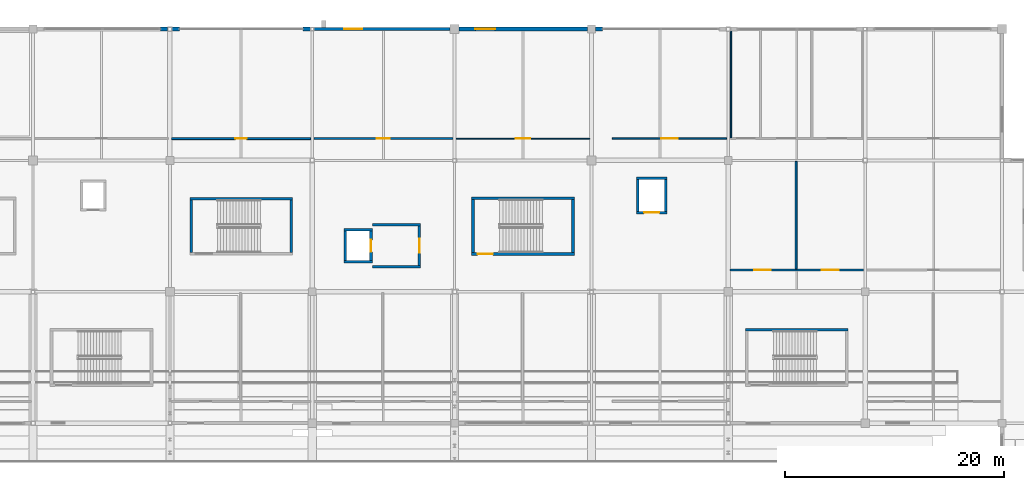
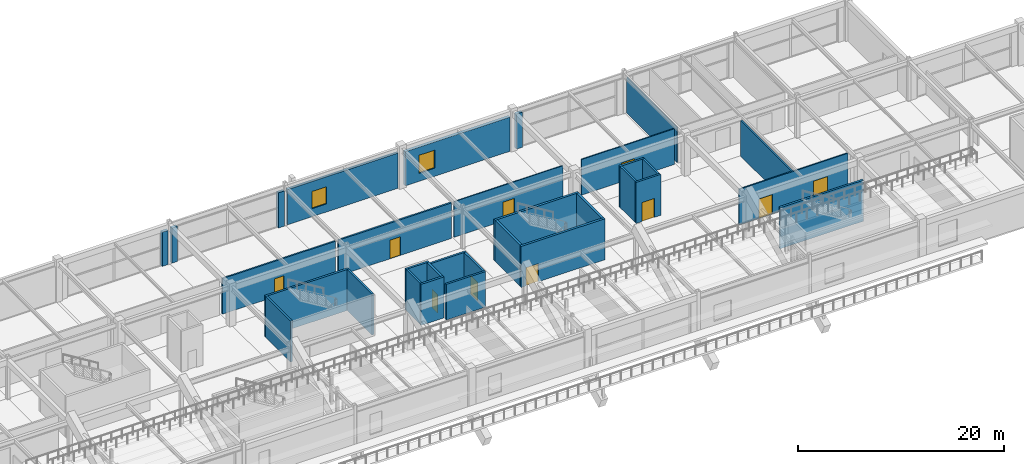
# One storey, part 98 of 128: 32 walls, 10 doors, 2 windows, 12 openings.
"""IFC4 building model written with IfcOpenShell, lengths in metres."""

from ifc_helpers import new_model, si_unit, direction, frame, frame_2d, origin, place, context, subcontext, project, spatial, rectangle, extrude, material, layer, layer_set, type_object, element, fill, save


model = new_model("IFC4")

# Units and contexts
model_context = context("Model", 3, precision=1e-05, world=origin(), true_north=direction((0.0, 1.0)))
body_context = subcontext(model_context, "Body", "Model", "MODEL_VIEW")
ifc_project = project(units=[si_unit("LENGTHUNIT", "METRE"), si_unit("AREAUNIT", "SQUARE_METRE"), si_unit("VOLUMEUNIT", "CUBIC_METRE"), si_unit("PLANEANGLEUNIT", "RADIAN"), si_unit("MASSUNIT", "GRAM", prefix="KILO")], contexts=[model_context])

# Site, building, storey
site_placement = place(None, origin())
site = spatial("IfcSite", under=ifc_project, at=site_placement, CompositionType="ELEMENT")
building_placement = place(site_placement, origin())
building = spatial("IfcBuilding", under=site, at=building_placement, Name="Kazenohara Klinker Stadium", CompositionType="ELEMENT")
storey_placement = place(building_placement, frame((0.0, 0.0, 15.300048828125)))
storey = spatial("IfcBuildingStorey", under=building, at=storey_placement, Name="L03", CompositionType="ELEMENT", Elevation=15.300048828125)

# Walls
ifc_material_1 = material(Name="Concrete C40/50", Category="concrete")
ifc_layer_1 = layer(ifc_material_1, 0.22998046875)
ifc_layer_set_1 = layer_set([ifc_layer_1], Name="Concrete C40/50")
wall_type_1 = type_object("IfcWallType", Name="WAL-CORE-230", PredefinedType="SHEAR", material=ifc_layer_set_1)
wall_1_placement = place(storey_placement, frame((100.820068359375, 152.514892578125, 0.0), z_axis=(0.0, 0.0, 1.0), x_axis=(1.0, 0.0, 0.0)))
element("IfcWall", 1, at=wall_1_placement, inside=storey, type_object=wall_type_1, Name="Stairwell shear wall ST10 L03 North", PredefinedType="SHEAR", context=body_context, shape_type="SweptSolid", body=[
    extrude(rectangle(XDim=9.35986328125, YDim=0.22998046875, at=frame_2d((4.679931640625, 0.0))), origin(), (0.0, 0.0, 1.0), 4.85986328125),
])
for number, where, z_axis, x_axis, name in (
    (2, (100.93505859375, 147.60009765625, 0.0), (0.0, 0.0, 1.0), (0.0, 1.0, 0.0), "Stairwell shear wall ST10 L03 West"),
    (3, (110.06494140625, 147.60009765625, 0.0), (0.0, 0.0, 1.0), (0.0, 1.0, 0.0), "Stairwell shear wall ST10 L03 East"),
):
    element("IfcWall", number, at=place(storey_placement, frame(where, z_axis=z_axis, x_axis=x_axis)), inside=storey, type_object=wall_type_1, Name=name, PredefinedType="SHEAR", context=body_context, shape_type="SweptSolid", body=[
        extrude(rectangle(XDim=4.7998046875, YDim=0.22998046875, at=frame_2d((2.39990234375, 0.0))), origin(), (0.0, 0.0, 1.0), 4.85986328125),
    ])
wall_2_placement = place(storey_placement, frame((151.570068359375, 140.544921875, 0.0), z_axis=(0.0, 0.0, 1.0), x_axis=(1.0, 0.0, 0.0)))
element("IfcWall", 4, at=wall_2_placement, inside=storey, type_object=wall_type_1, Name="Stairwell shear wall ST20 L03 North", PredefinedType="SHEAR", context=body_context, shape_type="SweptSolid", body=[
    extrude(rectangle(XDim=9.35986328125, YDim=0.22998046875, at=frame_2d((4.679931640625, 0.0))), origin(), (0.0, 0.0, 1.0), 4.85986328125),
])
for number, where, z_axis, x_axis, name in (
    (5, (114.919921875, 146.735107421875, 0.0), (0.0, 0.0, 1.0), (1.0, 0.0, 0.0), "Elevator shaft wall LF04 L03 South"),
    (6, (114.919921875, 149.6650390625, 0.0), (0.0, 0.0, 1.0), (1.0, 0.0, 0.0), "Elevator shaft wall LF04 L03 North"),
):
    element("IfcWall", number, at=place(storey_placement, frame(where, z_axis=z_axis, x_axis=x_axis)), inside=storey, type_object=wall_type_1, Name=name, PredefinedType="SHEAR", context=body_context, shape_type="SweptSolid", body=[
        extrude(rectangle(XDim=2.56005859375, YDim=0.22998046875, at=frame_2d((1.280029296875, 0.0))), origin(), (0.0, 0.0, 1.0), 4.85986328125),
    ])
wall_3_placement = place(storey_placement, frame((115.034912109375, 146.85009765625, 0.0), z_axis=(0.0, 0.0, 1.0), x_axis=(0.0, 1.0, 0.0)))
element("IfcWall", 7, at=wall_3_placement, inside=storey, type_object=wall_type_1, Name="Elevator shaft wall LF04 L03 West", PredefinedType="SHEAR", context=body_context, shape_type="SweptSolid", body=[
    extrude(rectangle(XDim=2.699951171875, YDim=0.22998046875, at=frame_2d((1.35009765625, 0.0))), origin(), (0.0, 0.0, 1.0), 4.85986328125),
])

# Wall, opening, door
wall_4_placement = place(storey_placement, frame((117.364990234375, 146.85009765625, 0.0), z_axis=(0.0, 0.0, 1.0), x_axis=(0.0, 1.0, 0.0)))
wall_4 = element("IfcWall", 8, at=wall_4_placement, inside=storey, type_object=wall_type_1, Name="Elevator shaft wall LF04 L03 East", PredefinedType="SHEAR", context=body_context, shape_type="SweptSolid", body=[
    extrude(rectangle(XDim=2.699951171875, YDim=0.22998046875, at=frame_2d((1.35009765625, 0.0))), origin(), (0.0, 0.0, 1.0), 4.85986328125),
])
opening_1_placement = place(wall_4_placement, frame((0.800048828125, 0.0, 0.0)))
opening_1 = element("IfcOpeningElement", 9, at=opening_1_placement, cuts=wall_4, Name="Opening LD01", PredefinedType="OPENING", context=body_context, shape_type="SweptSolid", body=[
    extrude(rectangle(XDim=1.10009765625, YDim=2.14990234375, at=frame_2d((0.550048828125, 1.074951171875))), frame((0.0, 0.125, 0.0), z_axis=(0.0, -1.0, 0.0), x_axis=(1.0, 0.0, 0.0)), (0.0, 0.0, 1.0), 0.25),
])
ifc_material_2 = material(Name="Stainless steel fire-rated sliding landing door", Category="steel")
door_type_1 = type_object("IfcDoorType", Name="DR-LD01-1100x2150", OperationType="NOTDEFINED", PredefinedType="DOOR", material=ifc_material_2)
door_1_placement = place(opening_1_placement, origin())
door_1 = element("IfcDoor", 10, at=door_1_placement, inside=storey, type_object=door_type_1, Name="Elevator sliding landing door LF04-L03", OperationType="DOUBLE_DOOR_SLIDING", OverallHeight=2.14990234375, OverallWidth=1.10009765625, PredefinedType="DOOR", context=body_context, shape_type="SweptSolid", body=[
    extrude(rectangle(XDim=1.10009765625, YDim=2.14990234375, at=frame_2d((0.550048828125, 1.074951171875))), frame((0.0, 0.02490234375, 0.0), z_axis=(0.0, -1.0, 0.0), x_axis=(1.0, 0.0, 0.0)), (0.0, 0.0, 1.0), 0.050048828125),
])
fill(opening_1, door_1)

wall_5_placement = place(storey_placement, frame((141.6201171875, 151.235107421875, 0.0), z_axis=(0.0, 0.0, 1.0), x_axis=(1.0, 0.0, 0.0)))
wall_5 = element("IfcWall", 11, at=wall_5_placement, inside=storey, type_object=wall_type_1, Name="Elevator shaft wall LG02 L03 South", PredefinedType="SHEAR", context=body_context, shape_type="SweptSolid", body=[
    extrude(rectangle(XDim=2.759765625, YDim=0.22998046875, at=frame_2d((1.3798828125, 0.0))), origin(), (0.0, 0.0, 1.0), 4.85986328125),
])
opening_2_placement = place(wall_5_placement, frame((0.679931640625, 0.0, 0.0)))
opening_2 = element("IfcOpeningElement", 12, at=opening_2_placement, cuts=wall_5, Name="Opening LD03", PredefinedType="OPENING", context=body_context, shape_type="SweptSolid", body=[
    extrude(rectangle(XDim=1.39990234375, YDim=2.25, at=frame_2d((0.699951171875, 1.125))), frame((0.0, 0.125, 0.0), z_axis=(0.0, -1.0, 0.0), x_axis=(1.0, 0.0, 0.0)), (0.0, 0.0, 1.0), 0.25),
])
ifc_material_3 = material(Name="Heavy-duty stainless steel sliding goods landing door", Category="steel")
door_type_2 = type_object("IfcDoorType", Name="DR-LD03-1400x2250", OperationType="NOTDEFINED", PredefinedType="DOOR", material=ifc_material_3)
door_2_placement = place(opening_2_placement, origin())
door_2 = element("IfcDoor", 13, at=door_2_placement, inside=storey, type_object=door_type_2, Name="Elevator sliding landing door LG02-L03", OperationType="DOUBLE_DOOR_SLIDING", OverallHeight=2.25, OverallWidth=1.39990234375, PredefinedType="DOOR", context=body_context, shape_type="SweptSolid", body=[
    extrude(rectangle(XDim=1.39990234375, YDim=2.25, at=frame_2d((0.699951171875, 1.125))), frame((0.0, 0.02490234375, 0.0), z_axis=(0.0, -1.0, 0.0), x_axis=(1.0, 0.0, 0.0)), (0.0, 0.0, 1.0), 0.050048828125),
])
fill(opening_2, door_2)

# Walls
wall_6_placement = place(storey_placement, frame((141.6201171875, 154.364990234375, 0.0), z_axis=(0.0, 0.0, 1.0), x_axis=(1.0, 0.0, 0.0)))
element("IfcWall", 14, at=wall_6_placement, inside=storey, type_object=wall_type_1, Name="Elevator shaft wall LG02 L03 North", PredefinedType="SHEAR", context=body_context, shape_type="SweptSolid", body=[
    extrude(rectangle(XDim=2.759765625, YDim=0.22998046875, at=frame_2d((1.3798828125, 0.0))), origin(), (0.0, 0.0, 1.0), 4.85986328125),
])
for number, where, z_axis, x_axis, name in (
    (15, (141.735107421875, 151.35009765625, 0.0), (0.0, 0.0, 1.0), (0.0, 1.0, 0.0), "Elevator shaft wall LG02 L03 West"),
    (16, (144.264892578125, 151.35009765625, 0.0), (0.0, 0.0, 1.0), (0.0, 1.0, 0.0), "Elevator shaft wall LG02 L03 East"),
):
    element("IfcWall", number, at=place(storey_placement, frame(where, z_axis=z_axis, x_axis=x_axis)), inside=storey, type_object=wall_type_1, Name=name, PredefinedType="SHEAR", context=body_context, shape_type="SweptSolid", body=[
        extrude(rectangle(XDim=2.89990234375, YDim=0.22998046875, at=frame_2d((1.449951171875, 0.0))), origin(), (0.0, 0.0, 1.0), 4.85986328125),
    ])

# Wall, opening, door
ifc_layer_2 = layer(ifc_material_1, 0.25)
ifc_layer_set_2 = layer_set([ifc_layer_2], Name="Concrete C40/50")
wall_type_2 = type_object("IfcWallType", Name="WAL-CORE-250", PredefinedType="SHEAR", material=ifc_layer_set_2)
wall_7_placement = place(storey_placement, frame((126.550048828125, 147.455078125, 0.0), z_axis=(0.0, 0.0, 1.0), x_axis=(1.0, 0.0, 0.0)))
wall_7 = element("IfcWall", 17, at=wall_7_placement, inside=storey, type_object=wall_type_2, Name="Stairwell shear wall ST11 L03 South", PredefinedType="SHEAR", context=body_context, shape_type="SweptSolid", body=[
    extrude(rectangle(XDim=9.39990234375, YDim=0.25, at=frame_2d((4.699951171875, 0.0))), origin(), (0.0, 0.0, 1.0), 4.85986328125),
])
opening_3_placement = place(wall_7_placement, frame((0.550048828125, 0.0, 0.0)))
opening_3 = element("IfcOpeningElement", 18, at=opening_3_placement, cuts=wall_7, Name="Opening SD01", PredefinedType="OPENING", context=body_context, shape_type="SweptSolid", body=[
    extrude(rectangle(XDim=1.39990234375, YDim=2.14990234375, at=frame_2d((0.699951171875, 1.074951171875))), frame((0.0, 0.135009765625, 0.0), z_axis=(0.0, -1.0, 0.0), x_axis=(1.0, 0.0, 0.0)), (0.0, 0.0, 1.0), 0.27001953125),
])
ifc_material_4 = material(Name="Flush painted steel fire door leaf", Category="steel")
door_type_3 = type_object("IfcDoorType", Name="DR-STR-1400x2150", OperationType="NOTDEFINED", PredefinedType="DOOR", material=ifc_material_4)
door_3_placement = place(opening_3_placement, origin())
door_3 = element("IfcDoor", 19, at=door_3_placement, inside=storey, type_object=door_type_3, Name="Escape stairwell fire door ST11-L03", OperationType="SINGLE_SWING_LEFT", OverallHeight=2.14990234375, OverallWidth=1.39990234375, PredefinedType="DOOR", context=body_context, shape_type="SweptSolid", body=[
    extrude(rectangle(XDim=1.39990234375, YDim=2.14990234375, at=frame_2d((0.699951171875, 1.074951171875))), frame((0.0, 0.02490234375, 0.0), z_axis=(0.0, -1.0, 0.0), x_axis=(1.0, 0.0, 0.0)), (0.0, 0.0, 1.0), 0.050048828125),
])
fill(opening_3, door_3)

# Walls
wall_8_placement = place(storey_placement, frame((126.550048828125, 152.544921875, 0.0), z_axis=(0.0, 0.0, 1.0), x_axis=(1.0, 0.0, 0.0)))
element("IfcWall", 20, at=wall_8_placement, inside=storey, type_object=wall_type_2, Name="Stairwell shear wall ST11 L03 North", PredefinedType="SHEAR", context=body_context, shape_type="SweptSolid", body=[
    extrude(rectangle(XDim=9.39990234375, YDim=0.25, at=frame_2d((4.699951171875, 0.0))), origin(), (0.0, 0.0, 1.0), 4.85986328125),
])
for number, where, z_axis, x_axis, name in (
    (21, (126.675048828125, 147.580078125, 0.0), (0.0, 0.0, 1.0), (0.0, 1.0, 0.0), "Stairwell shear wall ST11 L03 West"),
    (22, (135.824951171875, 147.580078125, 0.0), (0.0, 0.0, 1.0), (0.0, 1.0, 0.0), "Stairwell shear wall ST11 L03 East"),
):
    element("IfcWall", number, at=place(storey_placement, frame(where, z_axis=z_axis, x_axis=x_axis)), inside=storey, type_object=wall_type_2, Name=name, PredefinedType="SHEAR", context=body_context, shape_type="SweptSolid", body=[
        extrude(rectangle(XDim=4.83984375, YDim=0.25, at=frame_2d((2.419921875, 0.0))), origin(), (0.0, 0.0, 1.0), 4.85986328125),
    ])

# Wall, opening, window
ifc_material_5 = material(Name="Clinker brick masonry", Category="masonry")
ifc_layer_3 = layer(ifc_material_5, 0.31005859375)
ifc_layer_set_3 = layer_set([ifc_layer_3], Name="Clinker brick masonry")
wall_type_3 = type_object("IfcWallType", Name="WAL-EXT-CB310", PredefinedType="SOLIDWALL", material=ifc_layer_set_3)
wall_9_placement = place(storey_placement, frame((112.178955078125, 168.0, 0.0), z_axis=(0.0, 0.0, 1.0), x_axis=(1.0, 0.0, 0.0)))
wall_9 = element("IfcWall", 23, at=wall_9_placement, inside=storey, type_object=wall_type_3, Name="Clinker brick cavity wall EW05 L03 X9-14", PredefinedType="SOLIDWALL", context=body_context, shape_type="SweptSolid", body=[
    extrude(rectangle(XDim=12.4169921875, YDim=0.31005859375, at=frame_2d((6.20849609375, 0.0))), origin(), (0.0, 0.0, 1.0), 4.171875),
])
opening_4_placement = place(wall_9_placement, frame((2.75, 0.0, 0.949951171875)))
opening_4 = element("IfcOpeningElement", 24, at=opening_4_placement, cuts=wall_9, Name="Opening W11", PredefinedType="OPENING", context=body_context, shape_type="SweptSolid", body=[
    extrude(rectangle(XDim=1.64990234375, YDim=2.050048828125, at=frame_2d((0.824951171875, 1.02490234375))), frame((0.0, 0.1650390625, 0.0), z_axis=(0.0, -1.0, 0.0), x_axis=(1.0, 0.0, 0.0)), (0.0, 0.0, 1.0), 0.330078125),
])
ifc_material_6 = material(Name="Dark bronze aluminium frame and triple glazing", Category="aluminium")
window_type_1 = type_object("IfcWindowType", Name="WIN-AS-11", PartitioningType="SINGLE_PANEL", PredefinedType="WINDOW", material=ifc_material_6)
window_1_placement = place(opening_4_placement, origin())
window_1 = element("IfcWindow", 25, at=window_1_placement, inside=storey, type_object=window_type_1, Name="Horizontal-mullion ladder window W11 L03 X9-14", OverallHeight=2.050048828125, OverallWidth=1.64990234375, PartitioningType="SINGLE_PANEL", PredefinedType="WINDOW", context=body_context, shape_type="SweptSolid", body=[
    extrude(rectangle(XDim=1.64990234375, YDim=2.050048828125, at=frame_2d((0.824951171875, 1.02490234375))), frame((0.0, 0.030029296875, 0.0), z_axis=(0.0, -1.0, 0.0), x_axis=(1.0, 0.0, 0.0)), (0.0, 0.0, 1.0), 0.06005859375),
])
fill(opening_4, window_1)

# Walls
ifc_layer_4 = layer(ifc_material_5, 0.340087890625)
ifc_layer_set_4 = layer_set([ifc_layer_4], Name="Clinker brick masonry")
wall_type_4 = type_object("IfcWallType", Name="WAL-EXT-CB340", PredefinedType="SOLIDWALL", material=ifc_layer_set_4)
wall_10_placement = place(storey_placement, frame((98.14599609375, 168.0, 0.0), z_axis=(0.0, 0.0, 1.0), x_axis=(1.0, 0.0, 0.0)))
element("IfcWall", 26, at=wall_10_placement, inside=storey, type_object=wall_type_4, Name="Clinker brick curtain-wall jamb pier L03 X7-14 B", PredefinedType="SOLIDWALL", context=body_context, shape_type="SweptSolid", body=[
    extrude(rectangle(XDim=0.64990234375, YDim=0.340087890625, at=frame_2d((0.324951171875, 0.0))), origin(), (0.0, 0.0, 1.0), 4.06005859375),
])
wall_11_placement = place(storey_placement, frame((99.2041015625, 168.0, 0.0), z_axis=(0.0, 0.0, 1.0), x_axis=(1.0, 0.0, 0.0)))
element("IfcWall", 27, at=wall_11_placement, inside=storey, type_object=wall_type_4, Name="Clinker brick curtain-wall jamb pier L03 X8-14 A", PredefinedType="SOLIDWALL", context=body_context, shape_type="SweptSolid", body=[
    extrude(rectangle(XDim=0.64990234375, YDim=0.340087890625, at=frame_2d((0.324951171875, 0.0))), origin(), (0.0, 0.0, 1.0), 4.159912109375),
])
wall_12_placement = place(storey_placement, frame((111.1708984375, 168.0, 0.0), z_axis=(0.0, 0.0, 1.0), x_axis=(1.0, 0.0, 0.0)))
element("IfcWall", 28, at=wall_12_placement, inside=storey, type_object=wall_type_4, Name="Clinker brick curtain-wall jamb pier L03 X8-14 B", PredefinedType="SOLIDWALL", context=body_context, shape_type="SweptSolid", body=[
    extrude(rectangle(XDim=0.650146484375, YDim=0.340087890625, at=frame_2d((0.3251953125, 0.0))), origin(), (0.0, 0.0, 1.0), 4.159912109375),
])

# Wall, opening, window
wall_13_placement = place(storey_placement, frame((125.404052734375, 168.0, 0.0), z_axis=(0.0, 0.0, 1.0), x_axis=(1.0, 0.0, 0.0)))
wall_13 = element("IfcWall", 29, at=wall_13_placement, inside=storey, type_object=wall_type_4, Name="Clinker brick cavity wall EW04 L03 X10-14", PredefinedType="SOLIDWALL", context=body_context, shape_type="SweptSolid", body=[
    extrude(rectangle(XDim=11.741943359375, YDim=0.340087890625, at=frame_2d((5.87109375, 0.0))), origin(), (0.0, 0.0, 1.0), 4.06005859375),
])
opening_5_placement = place(wall_13_placement, frame((1.5, 0.0, 0.949951171875)))
opening_5 = element("IfcOpeningElement", 30, at=opening_5_placement, cuts=wall_13, Name="Opening W14", PredefinedType="OPENING", context=body_context, shape_type="SweptSolid", body=[
    extrude(rectangle(XDim=1.800048828125, YDim=2.14990234375, at=frame_2d((0.89990234375, 1.074951171875))), frame((0.0, 0.18017578125, 0.0), z_axis=(0.0, -1.0, 0.0), x_axis=(1.0, 0.0, 0.0)), (0.0, 0.0, 1.0), 0.360107421875),
])
window_type_2 = type_object("IfcWindowType", Name="WIN-AS-14", PartitioningType="SINGLE_PANEL", PredefinedType="WINDOW", material=ifc_material_6)
window_2_placement = place(opening_5_placement, origin())
window_2 = element("IfcWindow", 31, at=window_2_placement, inside=storey, type_object=window_type_2, Name="Horizontal-mullion ladder window W14 L03 X10-14", OverallHeight=2.14990234375, OverallWidth=1.800048828125, PartitioningType="SINGLE_PANEL", PredefinedType="WINDOW", context=body_context, shape_type="SweptSolid", body=[
    extrude(rectangle(XDim=1.800048828125, YDim=2.14990234375, at=frame_2d((0.89990234375, 1.074951171875))), frame((0.0, 0.030029296875, 0.0), z_axis=(0.0, -1.0, 0.0), x_axis=(1.0, 0.0, 0.0)), (0.0, 0.0, 1.0), 0.06005859375),
])
fill(opening_5, window_2)

# Walls
wall_14_placement = place(storey_placement, frame((137.85400390625, 168.0, 0.0), z_axis=(0.0, 0.0, 1.0), x_axis=(1.0, 0.0, 0.0)))
element("IfcWall", 32, at=wall_14_placement, inside=storey, type_object=wall_type_4, Name="Clinker brick curtain-wall jamb pier L03 X11-14 A", PredefinedType="SOLIDWALL", context=body_context, shape_type="SweptSolid", body=[
    extrude(rectangle(XDim=0.64990234375, YDim=0.340087890625, at=frame_2d((0.324951171875, 0.0))), origin(), (0.0, 0.0, 1.0), 4.159912109375),
])
ifc_layer_5 = layer(ifc_material_1, 0.219970703125)
ifc_layer_set_5 = layer_set([ifc_layer_5], Name="Concrete C40/50")
wall_type_5 = type_object("IfcWallType", Name="WAL-INT-FF220", PredefinedType="SOLIDWALL", material=ifc_layer_set_5)
for number, where, z_axis, x_axis, name in (
    (33, (117.47998046875, 146.2900390625, 0.0), (0.0, 0.0, 1.0), (1.0, 0.0, 0.0), "Firefighting lobby wall LF04 L03 South"),
    (34, (117.47998046875, 150.110107421875, 0.0), (0.0, 0.0, 1.0), (1.0, 0.0, 0.0), "Firefighting lobby wall LF04 L03 North"),
):
    element("IfcWall", number, at=place(storey_placement, frame(where, z_axis=z_axis, x_axis=x_axis)), inside=storey, type_object=wall_type_5, Name=name, PredefinedType="SOLIDWALL", context=body_context, shape_type="SweptSolid", body=[
        extrude(rectangle(XDim=4.419921875, YDim=0.219970703125, at=frame_2d((2.2099609375, 0.0))), origin(), (0.0, 0.0, 1.0), 4.219970703125),
    ])

# Wall, opening, door
wall_15_placement = place(storey_placement, frame((121.7900390625, 146.39990234375, 0.0), z_axis=(0.0, 0.0, 1.0), x_axis=(0.0, 1.0, 0.0)))
wall_15 = element("IfcWall", 35, at=wall_15_placement, inside=storey, type_object=wall_type_5, Name="Firefighting lobby front wall LF04 L03", PredefinedType="SOLIDWALL", context=body_context, shape_type="SweptSolid", body=[
    extrude(rectangle(XDim=3.60009765625, YDim=0.219970703125, at=frame_2d((1.800048828125, 0.0))), origin(), (0.0, 0.0, 1.0), 4.219970703125),
])
opening_6_placement = place(wall_15_placement, frame((1.14990234375, 0.0, 0.0)))
opening_6 = element("IfcOpeningElement", 36, at=opening_6_placement, cuts=wall_15, Name="Opening FD01", PredefinedType="OPENING", context=body_context, shape_type="SweptSolid", body=[
    extrude(rectangle(XDim=1.300048828125, YDim=2.14990234375, at=frame_2d((0.64990234375, 1.074951171875))), frame((0.0, 0.1201171875, 0.0), z_axis=(0.0, -1.0, 0.0), x_axis=(1.0, 0.0, 0.0)), (0.0, 0.0, 1.0), 0.239990234375),
])
ifc_material_7 = material(Name="Smoke-sealed steel fire lobby door", Category="steel")
door_type_4 = type_object("IfcDoorType", Name="DR-FFL-1300x2150", OperationType="NOTDEFINED", PredefinedType="DOOR", material=ifc_material_7)
door_4_placement = place(opening_6_placement, origin())
door_4 = element("IfcDoor", 37, at=door_4_placement, inside=storey, type_object=door_type_4, Name="Firefighting lobby smoke-sealed door LF04-L03", OperationType="SINGLE_SWING_RIGHT", OverallHeight=2.14990234375, OverallWidth=1.300048828125, PredefinedType="DOOR", context=body_context, shape_type="SweptSolid", body=[
    extrude(rectangle(XDim=1.300048828125, YDim=2.14990234375, at=frame_2d((0.64990234375, 1.074951171875))), frame((0.0, 0.02490234375, 0.0), z_axis=(0.0, -1.0, 0.0), x_axis=(1.0, 0.0, 0.0)), (0.0, 0.0, 1.0), 0.050048828125),
])
fill(opening_6, door_4)

ifc_material_8 = material(Name="Fire-rated gypsum board on acoustic studs", Category="gypsum")
ifc_layer_6 = layer(ifc_material_8, 0.110107421875)
ifc_layer_set_6 = layer_set([ifc_layer_6], Name="Fire-rated gypsum board on acoustic studs")
wall_type_6 = type_object("IfcWallType", Name="WAL-INT-P110", PredefinedType="PARTITIONING", material=ifc_layer_set_6)
wall_16_placement = place(storey_placement, frame((125.159912109375, 157.989990234375, 0.0), z_axis=(0.0, 0.0, 1.0), x_axis=(1.0, 0.0, 0.0)))
wall_16 = element("IfcWall", 38, at=wall_16_placement, inside=storey, type_object=wall_type_6, Name="Interior partition wall PT01 SPC-L03-10-13-1-1", PredefinedType="PARTITIONING", context=body_context, shape_type="SweptSolid", body=[
    extrude(rectangle(XDim=12.18017578125, YDim=0.110107421875, at=frame_2d((6.090087890625, 0.0))), origin(), (0.0, 0.0, 1.0), 4.219970703125),
])
opening_7_placement = place(wall_16_placement, frame((5.43994140625, 0.0, 0.0)))
opening_7 = element("IfcOpeningElement", 39, at=opening_7_placement, cuts=wall_16, Name="Opening ID15", PredefinedType="OPENING", context=body_context, shape_type="SweptSolid", body=[
    extrude(rectangle(XDim=1.300048828125, YDim=2.239990234375, at=frame_2d((0.64990234375, 1.1201171875))), frame((0.0, 0.06494140625, 0.0), z_axis=(0.0, -1.0, 0.0), x_axis=(1.0, 0.0, 0.0)), (0.0, 0.0, 1.0), 0.130126953125),
])
ifc_material_9 = material(Name="Solid-core Hokkaido oak fire door", Category="wood")
door_type_5 = type_object("IfcDoorType", Name="DR-INT-15", OperationType="NOTDEFINED", PredefinedType="DOOR", material=ifc_material_9)
door_5_placement = place(opening_7_placement, origin())
door_5 = element("IfcDoor", 40, at=door_5_placement, inside=storey, type_object=door_type_5, Name="Interior door ID15 Concourse Cold-Climate Hospitality Lounge L03-1013A", OperationType="SINGLE_SWING_RIGHT", OverallHeight=2.239990234375, OverallWidth=1.300048828125, PredefinedType="DOOR", context=body_context, shape_type="SweptSolid", body=[
    extrude(rectangle(XDim=1.300048828125, YDim=2.239990234375, at=frame_2d((0.64990234375, 1.1201171875))), frame((0.0, 0.02490234375, 0.0), z_axis=(0.0, -1.0, 0.0), x_axis=(1.0, 0.0, 0.0)), (0.0, 0.0, 1.0), 0.050048828125),
])
fill(opening_7, door_5)

# Wall
wall_17_placement = place(storey_placement, frame((150.239990234375, 158.06494140625, 0.0), z_axis=(0.0, 0.0, 1.0), x_axis=(0.0, 1.0, 0.0)))
element("IfcWall", 41, at=wall_17_placement, inside=storey, type_object=wall_type_6, Name="Interior partition wall PT01 SPC-L03-12-13-1-1", PredefinedType="PARTITIONING", context=body_context, shape_type="SweptSolid", body=[
    extrude(rectangle(XDim=9.73095703125, YDim=0.110107421875, at=frame_2d((4.865478515625, 0.0))), origin(), (0.0, 0.0, 1.0), 4.219970703125),
])

# Wall, opening, door
ifc_layer_7 = layer(ifc_material_8, 0.1201171875)
ifc_layer_set_7 = layer_set([ifc_layer_7], Name="Fire-rated gypsum board on acoustic studs")
wall_type_7 = type_object("IfcWallType", Name="WAL-INT-P120", PredefinedType="PARTITIONING", material=ifc_layer_set_7)
wall_18_placement = place(storey_placement, frame((139.419921875, 157.989990234375, 0.0), z_axis=(0.0, 0.0, 1.0), x_axis=(1.0, 0.0, 0.0)))
wall_18 = element("IfcWall", 42, at=wall_18_placement, inside=storey, type_object=wall_type_7, Name="Interior partition wall PT02 SPC-L03-11-13-1-1", PredefinedType="PARTITIONING", context=body_context, shape_type="SweptSolid", body=[
    extrude(rectangle(XDim=10.420166015625, YDim=0.1201171875, at=frame_2d((5.2099609375, 0.0))), origin(), (0.0, 0.0, 1.0), 4.219970703125),
])
opening_8_placement = place(wall_18_placement, frame((4.469970703125, 0.0, 0.0)))
opening_8 = element("IfcOpeningElement", 43, at=opening_8_placement, cuts=wall_18, Name="Opening ID20", PredefinedType="OPENING", context=body_context, shape_type="SweptSolid", body=[
    extrude(rectangle(XDim=1.47998046875, YDim=2.239990234375, at=frame_2d((0.739990234375, 1.1201171875))), frame((0.0, 0.070068359375, 0.0), z_axis=(0.0, -1.0, 0.0), x_axis=(1.0, 0.0, 0.0)), (0.0, 0.0, 1.0), 0.14013671875),
])
ifc_material_10 = material(Name="Painted steel plant fire door", Category="steel")
door_type_6 = type_object("IfcDoorType", Name="DR-INT-20", OperationType="NOTDEFINED", PredefinedType="DOOR", material=ifc_material_10)
door_6_placement = place(opening_8_placement, origin())
door_6 = element("IfcDoor", 44, at=door_6_placement, inside=storey, type_object=door_type_6, Name="Interior door ID20 Crowd Safety Monitoring Control Studio L03-1113A", OperationType="SINGLE_SWING_LEFT", OverallHeight=2.239990234375, OverallWidth=1.47998046875, PredefinedType="DOOR", context=body_context, shape_type="SweptSolid", body=[
    extrude(rectangle(XDim=1.47998046875, YDim=2.239990234375, at=frame_2d((0.739990234375, 1.1201171875))), frame((0.0, 0.02490234375, 0.0), z_axis=(0.0, -1.0, 0.0), x_axis=(1.0, 0.0, 0.0)), (0.0, 0.0, 1.0), 0.050048828125),
])
fill(opening_8, door_6)

# Wall, openings, doors
ifc_layer_8 = layer(ifc_material_8, 0.14990234375)
ifc_layer_set_8 = layer_set([ifc_layer_8], Name="Fire-rated gypsum board on acoustic studs")
wall_type_8 = type_object("IfcWallType", Name="WAL-INT-P150", PredefinedType="PARTITIONING", material=ifc_layer_set_8)
wall_19_placement = place(storey_placement, frame((150.159912109375, 145.989990234375, 0.0), z_axis=(0.0, 0.0, 1.0), x_axis=(1.0, 0.0, 0.0)))
wall_19 = element("IfcWall", 45, at=wall_19_placement, inside=storey, type_object=wall_type_8, Name="Interior partition wall PT04 SPC-L03-12-12-1-1", PredefinedType="PARTITIONING", context=body_context, shape_type="SweptSolid", body=[
    extrude(rectangle(XDim=12.18017578125, YDim=0.14990234375, at=frame_2d((6.090087890625, 0.0))), origin(), (0.0, 0.0, 1.0), 4.219970703125),
])
opening_9_placement = place(wall_19_placement, frame((2.214599609375, 0.0, 0.0)))
opening_9 = element("IfcOpeningElement", 46, at=opening_9_placement, cuts=wall_19, Name="Opening ID21", PredefinedType="OPENING", context=body_context, shape_type="SweptSolid", body=[
    extrude(rectangle(XDim=1.52001953125, YDim=2.280029296875, at=frame_2d((0.760009765625, 1.14013671875))), frame((0.0, 0.0849609375, 0.0), z_axis=(0.0, -1.0, 0.0), x_axis=(1.0, 0.0, 0.0)), (0.0, 0.0, 1.0), 0.169921875),
])
opening_10_placement = place(wall_19_placement, frame((8.364501953125, 0.0, 0.0)))
opening_10 = element("IfcOpeningElement", 47, at=opening_10_placement, cuts=wall_19, Name="Opening ID22", PredefinedType="OPENING", context=body_context, shape_type="SweptSolid", body=[
    extrude(rectangle(XDim=1.56005859375, YDim=2.260009765625, at=frame_2d((0.780029296875, 1.1298828125))), frame((0.0, 0.0849609375, 0.0), z_axis=(0.0, -1.0, 0.0), x_axis=(1.0, 0.0, 0.0)), (0.0, 0.0, 1.0), 0.169921875),
])
door_type_7 = type_object("IfcDoorType", Name="DR-INT-21", OperationType="NOTDEFINED", PredefinedType="DOOR", material=ifc_material_10)
door_7_placement = place(opening_9_placement, origin())
door_7 = element("IfcDoor", 48, at=door_7_placement, inside=storey, type_object=door_type_7, Name="Interior door ID21 Upper Concourse Supporter Dining Pavilion L03-1212A", OperationType="SINGLE_SWING_RIGHT", OverallHeight=2.280029296875, OverallWidth=1.52001953125, PredefinedType="DOOR", context=body_context, shape_type="SweptSolid", body=[
    extrude(rectangle(XDim=1.52001953125, YDim=2.280029296875, at=frame_2d((0.760009765625, 1.14013671875))), frame((0.0, 0.02490234375, 0.0), z_axis=(0.0, -1.0, 0.0), x_axis=(1.0, 0.0, 0.0)), (0.0, 0.0, 1.0), 0.050048828125),
])
fill(opening_9, door_7)
door_type_8 = type_object("IfcDoorType", Name="DR-INT-22", OperationType="NOTDEFINED", PredefinedType="DOOR", material=ifc_material_10)
door_8_placement = place(opening_10_placement, origin())
door_8 = element("IfcDoor", 49, at=door_8_placement, inside=storey, type_object=door_type_8, Name="Interior door ID22 Supporter Tifo Workshop Studio L03-1212B", OperationType="SINGLE_SWING_LEFT", OverallHeight=2.260009765625, OverallWidth=1.56005859375, PredefinedType="DOOR", context=body_context, shape_type="SweptSolid", body=[
    extrude(rectangle(XDim=1.56005859375, YDim=2.260009765625, at=frame_2d((0.780029296875, 1.1298828125))), frame((0.0, 0.02490234375, 0.0), z_axis=(0.0, -1.0, 0.0), x_axis=(1.0, 0.0, 0.0)), (0.0, 0.0, 1.0), 0.050048828125),
])
fill(opening_10, door_8)

# Wall, opening, door
ifc_layer_9 = layer(ifc_material_8, 0.169921875)
ifc_layer_set_9 = layer_set([ifc_layer_9], Name="Fire-rated gypsum board on acoustic studs")
wall_type_9 = type_object("IfcWallType", Name="WAL-INT-P170", PredefinedType="PARTITIONING", material=ifc_layer_set_9)
wall_20_placement = place(storey_placement, frame((99.159912109375, 157.989990234375, 0.0), z_axis=(0.0, 0.0, 1.0), x_axis=(1.0, 0.0, 0.0)))
wall_20 = element("IfcWall", 50, at=wall_20_placement, inside=storey, type_object=wall_type_9, Name="Interior partition wall PT05 SPC-L03-08-13-1-1", PredefinedType="PARTITIONING", context=body_context, shape_type="SweptSolid", body=[
    extrude(rectangle(XDim=12.68017578125, YDim=0.169921875, at=frame_2d((6.340087890625, 0.0))), origin(), (0.0, 0.0, 1.0), 4.219970703125),
])
opening_11_placement = place(wall_20_placement, frame((5.81005859375, 0.0, 0.0)))
opening_11 = element("IfcOpeningElement", 51, at=opening_11_placement, cuts=wall_20, Name="Opening ID07", PredefinedType="OPENING", context=body_context, shape_type="SweptSolid", body=[
    extrude(rectangle(XDim=1.06005859375, YDim=2.14990234375, at=frame_2d((0.530029296875, 1.074951171875))), frame((0.0, 0.094970703125, 0.0), z_axis=(0.0, -1.0, 0.0), x_axis=(1.0, 0.0, 0.0)), (0.0, 0.0, 1.0), 0.18994140625),
])
door_type_9 = type_object("IfcDoorType", Name="DR-INT-07", OperationType="NOTDEFINED", PredefinedType="DOOR", material=ifc_material_9)
door_9_placement = place(opening_11_placement, origin())
door_9 = element("IfcDoor", 52, at=door_9_placement, inside=storey, type_object=door_type_9, Name="Interior door ID07 Supporter Tifo Workshop Studio L03-0813A", OperationType="SINGLE_SWING_RIGHT", OverallHeight=2.14990234375, OverallWidth=1.06005859375, PredefinedType="DOOR", context=body_context, shape_type="SweptSolid", body=[
    extrude(rectangle(XDim=1.06005859375, YDim=2.14990234375, at=frame_2d((0.530029296875, 1.074951171875))), frame((0.0, 0.02490234375, 0.0), z_axis=(0.0, -1.0, 0.0), x_axis=(1.0, 0.0, 0.0)), (0.0, 0.0, 1.0), 0.050048828125),
])
fill(opening_11, door_9)

# Wall
wall_21_placement = place(storey_placement, frame((156.189208984375, 146.070068359375, 0.0), z_axis=(0.0, 0.0, 1.0), x_axis=(0.0, 1.0, 0.0)))
element("IfcWall", 53, at=wall_21_placement, inside=storey, type_object=wall_type_9, Name="Interior partition wall PT05 SPC-L03-12-12-1-2", PredefinedType="PARTITIONING", context=body_context, shape_type="SweptSolid", body=[
    extrude(rectangle(XDim=9.849853515625, YDim=0.169921875, at=frame_2d((4.9248046875, 0.0))), origin(), (0.0, 0.0, 1.0), 4.219970703125),
])

# Wall, opening, door
ifc_layer_10 = layer(ifc_material_8, 0.18994140625)
ifc_layer_set_10 = layer_set([ifc_layer_10], Name="Fire-rated gypsum board on acoustic studs")
wall_type_10 = type_object("IfcWallType", Name="WAL-INT-P190", PredefinedType="PARTITIONING", material=ifc_layer_set_10)
wall_22_placement = place(storey_placement, frame((112.159912109375, 157.989990234375, 0.0), z_axis=(0.0, 0.0, 1.0), x_axis=(1.0, 0.0, 0.0)))
wall_22 = element("IfcWall", 54, at=wall_22_placement, inside=storey, type_object=wall_type_10, Name="Interior partition wall PT06 SPC-L03-09-13-1-1", PredefinedType="PARTITIONING", context=body_context, shape_type="SweptSolid", body=[
    extrude(rectangle(XDim=12.68017578125, YDim=0.18994140625, at=frame_2d((6.340087890625, 0.0))), origin(), (0.0, 0.0, 1.0), 4.219970703125),
])
opening_12_placement = place(wall_22_placement, frame((5.75, 0.0, 0.0)))
opening_12 = element("IfcOpeningElement", 55, at=opening_12_placement, cuts=wall_22, Name="Opening ID11", PredefinedType="OPENING", context=body_context, shape_type="SweptSolid", body=[
    extrude(rectangle(XDim=1.179931640625, YDim=2.199951171875, at=frame_2d((0.58984375, 1.10009765625))), frame((0.0, 0.10498046875, 0.0), z_axis=(0.0, -1.0, 0.0), x_axis=(1.0, 0.0, 0.0)), (0.0, 0.0, 1.0), 0.2099609375),
])
door_type_10 = type_object("IfcDoorType", Name="DR-INT-11", OperationType="NOTDEFINED", PredefinedType="DOOR", material=ifc_material_9)
door_10_placement = place(opening_12_placement, origin())
door_10 = element("IfcDoor", 56, at=door_10_placement, inside=storey, type_object=door_type_10, Name="Interior door ID11 Crowd Safety Monitoring Control Studio L03-0913A", OperationType="SINGLE_SWING_RIGHT", OverallHeight=2.199951171875, OverallWidth=1.179931640625, PredefinedType="DOOR", context=body_context, shape_type="SweptSolid", body=[
    extrude(rectangle(XDim=1.179931640625, YDim=2.199951171875, at=frame_2d((0.58984375, 1.10009765625))), frame((0.0, 0.02490234375, 0.0), z_axis=(0.0, -1.0, 0.0), x_axis=(1.0, 0.0, 0.0)), (0.0, 0.0, 1.0), 0.050048828125),
])
fill(opening_12, door_10)

save(model, "model.ifc")
